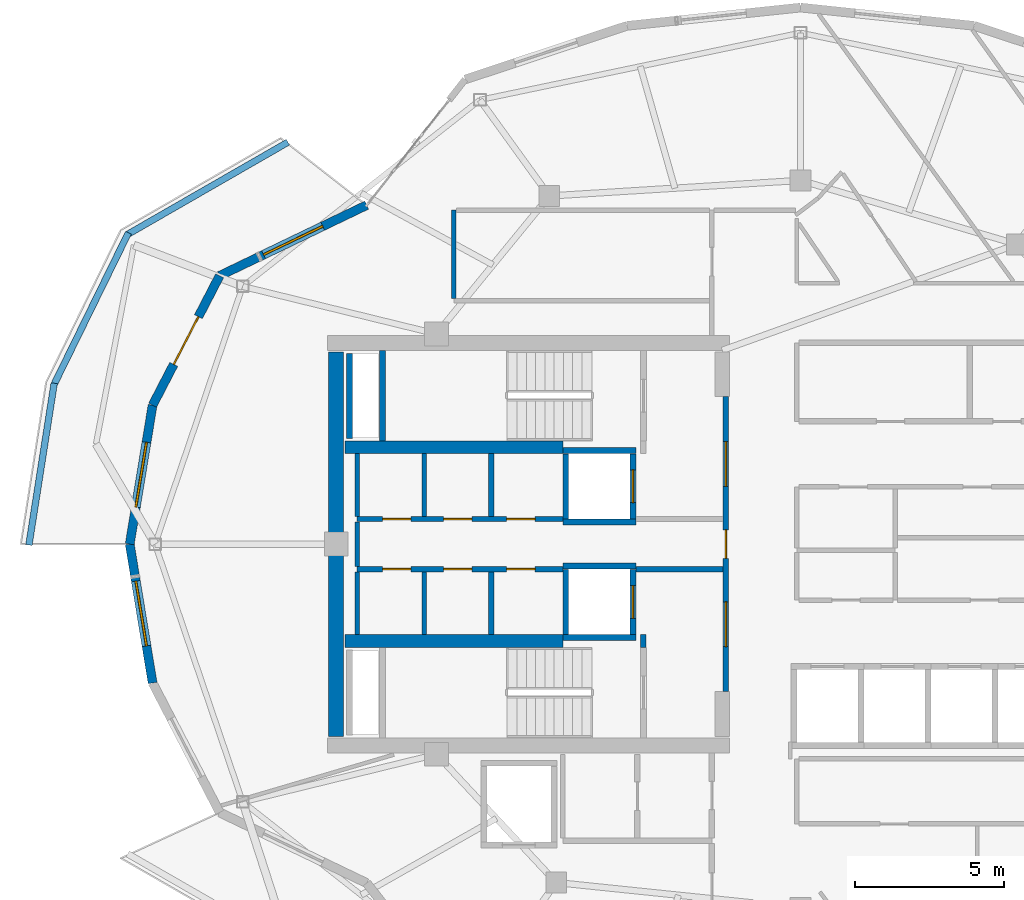
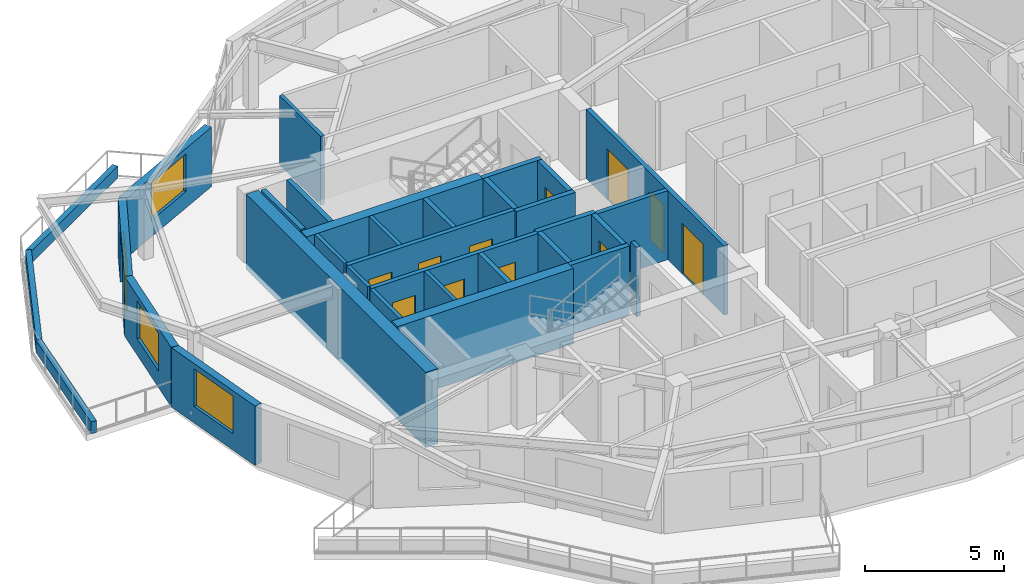
# One storey, part 8 of 14: 33 walls, 12 doors, 3 windows, 15 openings.
"""IFC4 building model written with IfcOpenShell, lengths in metres."""

from ifc_helpers import new_model, si_unit, direction, frame, frame_2d, origin, place, context, subcontext, project, spatial, rectangle, extrude, material, layer, layer_set, type_object, element, fill, save


model = new_model("IFC4")

# Units and contexts
model_context = context("Model", 3, precision=1e-05, world=origin(), true_north=direction((0.0, 1.0)))
body_context = subcontext(model_context, "Body", "Model", "MODEL_VIEW")
ifc_project = project(units=[si_unit("LENGTHUNIT", "METRE"), si_unit("AREAUNIT", "SQUARE_METRE"), si_unit("VOLUMEUNIT", "CUBIC_METRE"), si_unit("PLANEANGLEUNIT", "RADIAN"), si_unit("MASSUNIT", "GRAM", prefix="KILO")], contexts=[model_context])

# Site, building, storey
site_placement = place(None, origin())
site = spatial("IfcSite", under=ifc_project, at=site_placement, CompositionType="ELEMENT")
building_placement = place(site_placement, origin())
building = spatial("IfcBuilding", under=site, at=building_placement, Name="Kolvaren Gate Tower and Convention Centre", CompositionType="ELEMENT")
storey_placement = place(building_placement, frame((0.0, 0.0, 245.89990234375)))
storey = spatial("IfcBuildingStorey", under=building, at=storey_placement, Name="L66", CompositionType="ELEMENT", Elevation=245.89990234375)

# Wall
ifc_material_1 = material(Name="Autoclaved Aerated Masonry Blockwork Class 4 (4.0 MPa)", Category="masonry")
ifc_layer_1 = layer(ifc_material_1, 0.179931640625)
ifc_layer_set_1 = layer_set([ifc_layer_1], Name="Autoclaved Aerated Masonry Blockwork Class 4 (4.0 MPa)")
wall_type_1 = type_object("IfcWallType", Name="ARCH-WL-COMP-180", PredefinedType="SOLIDWALL", material=ifc_layer_set_1)
wall_1_placement = place(storey_placement, frame((24.85009765625, 23.5400390625, 0.0), z_axis=(0.0, 0.0, 1.0), x_axis=(0.0, 1.0, 0.0)))
element("IfcWall", 1, at=wall_1_placement, inside=storey, type_object=wall_type_1, Name="Interior Partition WL-L66-INT-001", PredefinedType="SOLIDWALL", context=body_context, shape_type="SweptSolid", body=[
    extrude(rectangle(XDim=0.419921875, YDim=0.179931640625, at=frame_2d((0.2099609375, 0.0))), origin(), (0.0, 0.0, 1.0), 3.030029296875),
])

# Wall, openings, doors
wall_2_placement = place(storey_placement, frame((27.6201171875, 22.050048828125, 0.0), z_axis=(0.0, 0.0, 1.0), x_axis=(0.0, 1.0, 0.0)))
wall_2 = element("IfcWall", 2, at=wall_2_placement, inside=storey, type_object=wall_type_1, Name="Interior Partition WL-L66-INT-003", PredefinedType="SOLIDWALL", context=body_context, shape_type="SweptSolid", body=[
    extrude(rectangle(XDim=9.89990234375, YDim=0.179931640625, at=frame_2d((4.949951171875, 0.0))), origin(), (0.0, 0.0, 1.0), 3.030029296875),
])
opening_1_placement = place(wall_2_placement, frame((4.47509765625, 0.0, 0.0)))
opening_1 = element("IfcOpeningElement", 3, at=opening_1_placement, cuts=wall_2, Name="Opening DR-01", PredefinedType="OPENING", context=body_context, shape_type="SweptSolid", body=[
    extrude(rectangle(XDim=0.949951171875, YDim=2.10009765625, at=frame_2d((0.47509765625, 1.050048828125))), frame((0.0, 0.099853515625, 0.0), z_axis=(0.0, -1.0, 0.0), x_axis=(1.0, 0.0, 0.0)), (0.0, 0.0, 1.0), 0.199951171875),
])
opening_2_placement = place(wall_2_placement, frame((6.889892578125, 0.0, 0.0)))
opening_2 = element("IfcOpeningElement", 4, at=opening_2_placement, cuts=wall_2, Name="Opening DL-01", PredefinedType="OPENING", context=body_context, shape_type="SweptSolid", body=[
    extrude(rectangle(XDim=1.5, YDim=2.199951171875, at=frame_2d((0.75, 1.10009765625))), frame((0.0, 0.099853515625, 0.0), z_axis=(0.0, -1.0, 0.0), x_axis=(1.0, 0.0, 0.0)), (0.0, 0.0, 1.0), 0.199951171875),
])
opening_3_placement = place(wall_2_placement, frame((1.510009765625, 0.0, 0.0)))
opening_3 = element("IfcOpeningElement", 5, at=opening_3_placement, cuts=wall_2, Name="Opening DL-01", PredefinedType="OPENING", context=body_context, shape_type="SweptSolid", body=[
    extrude(rectangle(XDim=1.5, YDim=2.199951171875, at=frame_2d((0.75, 1.10009765625))), frame((0.0, 0.099853515625, 0.0), z_axis=(0.0, -1.0, 0.0), x_axis=(1.0, 0.0, 0.0)), (0.0, 0.0, 1.0), 0.199951171875),
])
ifc_material_2 = material(Name="Painted Architectural Steelwork ASTM A500 Grade C 345 MPa", Category="steel")
door_type_1 = type_object("IfcDoorType", Name="ARCH-DR-LOBBY-1500", OperationType="DOUBLE_DOOR_SINGLE_SWING", PredefinedType="DOOR", material=ifc_material_2)
door_1_placement = place(opening_2_placement, origin())
door_1 = element("IfcDoor", 6, at=door_1_placement, inside=storey, type_object=door_type_1, Name="North Firefighting Stair and Lift Lobby Door", OperationType="DOUBLE_DOOR_SINGLE_SWING", OverallHeight=2.199951171875, OverallWidth=1.5, PredefinedType="DOOR", context=body_context, shape_type="SweptSolid", body=[
    extrude(rectangle(XDim=1.5, YDim=2.199951171875, at=frame_2d((0.75, 1.10009765625))), frame((0.0, 0.02490234375, 0.0), z_axis=(0.0, -1.0, 0.0), x_axis=(1.0, 0.0, 0.0)), (0.0, 0.0, 1.0), 0.050048828125),
])
fill(opening_2, door_1)
door_2_placement = place(opening_3_placement, origin())
door_2 = element("IfcDoor", 7, at=door_2_placement, inside=storey, type_object=door_type_1, Name="South Firefighting Stair and Lift Lobby Door", OperationType="DOUBLE_DOOR_SINGLE_SWING", OverallHeight=2.199951171875, OverallWidth=1.5, PredefinedType="DOOR", context=body_context, shape_type="SweptSolid", body=[
    extrude(rectangle(XDim=1.5, YDim=2.199951171875, at=frame_2d((0.75, 1.10009765625))), frame((0.0, 0.02490234375, 0.0), z_axis=(0.0, -1.0, 0.0), x_axis=(1.0, 0.0, 0.0)), (0.0, 0.0, 1.0), 0.050048828125),
])
fill(opening_3, door_2)
door_type_2 = type_object("IfcDoorType", Name="ARCH-DR-RISER-950", OperationType="SINGLE_SWING_RIGHT", PredefinedType="DOOR", material=ifc_material_2)
door_3_placement = place(opening_1_placement, origin())
door_3 = element("IfcDoor", 8, at=door_3_placement, inside=storey, type_object=door_type_2, Name="Central MEP Service Corridor Door", OperationType="SINGLE_SWING_LEFT", OverallHeight=2.10009765625, OverallWidth=0.949951171875, PredefinedType="DOOR", context=body_context, shape_type="SweptSolid", body=[
    extrude(rectangle(XDim=0.949951171875, YDim=2.10009765625, at=frame_2d((0.47509765625, 1.050048828125))), frame((0.0, 0.02490234375, 0.0), z_axis=(0.0, -1.0, 0.0), x_axis=(1.0, 0.0, 0.0)), (0.0, 0.0, 1.0), 0.050048828125),
])
fill(opening_1, door_3)

wall_3_placement = place(storey_placement, frame((15.25, 27.840087890625, 0.0), z_axis=(0.0, 0.0, 1.0), x_axis=(1.0, 0.0, 0.0)))
wall_3 = element("IfcWall", 9, at=wall_3_placement, inside=storey, type_object=wall_type_1, Name="Interior Partition WL-L66-INT-004", PredefinedType="SOLIDWALL", context=body_context, shape_type="SweptSolid", body=[
    extrude(rectangle(XDim=6.89990234375, YDim=0.179931640625, at=frame_2d((3.449951171875, 0.0))), origin(), (0.0, 0.0, 1.0), 3.030029296875),
])
opening_4_placement = place(wall_3_placement, frame((5.02001953125, 0.0, 0.0)))
opening_4 = element("IfcOpeningElement", 10, at=opening_4_placement, cuts=wall_3, Name="Opening DR-01", PredefinedType="OPENING", context=body_context, shape_type="SweptSolid", body=[
    extrude(rectangle(XDim=0.949951171875, YDim=2.10009765625, at=frame_2d((0.47509765625, 1.050048828125))), frame((0.0, 0.099853515625, 0.0), z_axis=(0.0, -1.0, 0.0), x_axis=(1.0, 0.0, 0.0)), (0.0, 0.0, 1.0), 0.199951171875),
])
opening_5_placement = place(wall_3_placement, frame((0.85498046875, 0.0, 0.0)))
opening_5 = element("IfcOpeningElement", 11, at=opening_5_placement, cuts=wall_3, Name="Opening DR-01", PredefinedType="OPENING", context=body_context, shape_type="SweptSolid", body=[
    extrude(rectangle(XDim=0.949951171875, YDim=2.10009765625, at=frame_2d((0.47509765625, 1.050048828125))), frame((0.0, 0.099853515625, 0.0), z_axis=(0.0, -1.0, 0.0), x_axis=(1.0, 0.0, 0.0)), (0.0, 0.0, 1.0), 0.199951171875),
])
opening_6_placement = place(wall_3_placement, frame((2.89990234375, 0.0, 0.0)))
opening_6 = element("IfcOpeningElement", 12, at=opening_6_placement, cuts=wall_3, Name="Opening DR-01", PredefinedType="OPENING", context=body_context, shape_type="SweptSolid", body=[
    extrude(rectangle(XDim=0.949951171875, YDim=2.10009765625, at=frame_2d((0.47509765625, 1.050048828125))), frame((0.0, 0.099853515625, 0.0), z_axis=(0.0, -1.0, 0.0), x_axis=(1.0, 0.0, 0.0)), (0.0, 0.0, 1.0), 0.199951171875),
])
door_4_placement = place(opening_4_placement, origin())
door_4 = element("IfcDoor", 13, at=door_4_placement, inside=storey, type_object=door_type_2, Name="Electrical Switchgear Closet Door", OperationType="SINGLE_SWING_RIGHT", OverallHeight=2.10009765625, OverallWidth=0.949951171875, PredefinedType="DOOR", context=body_context, shape_type="SweptSolid", body=[
    extrude(rectangle(XDim=0.949951171875, YDim=2.10009765625, at=frame_2d((0.47509765625, 1.050048828125))), frame((0.0, 0.02490234375, 0.0), z_axis=(0.0, -1.0, 0.0), x_axis=(1.0, 0.0, 0.0)), (0.0, 0.0, 1.0), 0.050048828125),
])
fill(opening_4, door_4)
door_5_placement = place(opening_5_placement, origin())
door_5 = element("IfcDoor", 14, at=door_5_placement, inside=storey, type_object=door_type_2, Name="Staff Accessible WC Door", OperationType="SINGLE_SWING_RIGHT", OverallHeight=2.10009765625, OverallWidth=0.949951171875, PredefinedType="DOOR", context=body_context, shape_type="SweptSolid", body=[
    extrude(rectangle(XDim=0.949951171875, YDim=2.10009765625, at=frame_2d((0.47509765625, 1.050048828125))), frame((0.0, 0.02490234375, 0.0), z_axis=(0.0, -1.0, 0.0), x_axis=(1.0, 0.0, 0.0)), (0.0, 0.0, 1.0), 0.050048828125),
])
fill(opening_5, door_5)
door_6_placement = place(opening_6_placement, origin())
door_6 = element("IfcDoor", 15, at=door_6_placement, inside=storey, type_object=door_type_2, Name="Housekeeping Sink Closet Door", OperationType="SINGLE_SWING_LEFT", OverallHeight=2.10009765625, OverallWidth=0.949951171875, PredefinedType="DOOR", context=body_context, shape_type="SweptSolid", body=[
    extrude(rectangle(XDim=0.949951171875, YDim=2.10009765625, at=frame_2d((0.47509765625, 1.050048828125))), frame((0.0, 0.02490234375, 0.0), z_axis=(0.0, -1.0, 0.0), x_axis=(1.0, 0.0, 0.0)), (0.0, 0.0, 1.0), 0.050048828125),
])
fill(opening_6, door_6)

wall_4_placement = place(storey_placement, frame((15.25, 26.159912109375, 0.0), z_axis=(0.0, 0.0, 1.0), x_axis=(1.0, 0.0, 0.0)))
wall_4 = element("IfcWall", 16, at=wall_4_placement, inside=storey, type_object=wall_type_1, Name="Interior Partition WL-L66-INT-005", PredefinedType="SOLIDWALL", context=body_context, shape_type="SweptSolid", body=[
    extrude(rectangle(XDim=6.89990234375, YDim=0.179931640625, at=frame_2d((3.449951171875, 0.0))), origin(), (0.0, 0.0, 1.0), 3.030029296875),
])
opening_7_placement = place(wall_4_placement, frame((5.02001953125, 0.0, 0.0)))
opening_7 = element("IfcOpeningElement", 17, at=opening_7_placement, cuts=wall_4, Name="Opening DR-01", PredefinedType="OPENING", context=body_context, shape_type="SweptSolid", body=[
    extrude(rectangle(XDim=0.949951171875, YDim=2.10009765625, at=frame_2d((0.47509765625, 1.050048828125))), frame((0.0, 0.099853515625, 0.0), z_axis=(0.0, -1.0, 0.0), x_axis=(1.0, 0.0, 0.0)), (0.0, 0.0, 1.0), 0.199951171875),
])
opening_8_placement = place(wall_4_placement, frame((0.85498046875, 0.0, 0.0)))
opening_8 = element("IfcOpeningElement", 18, at=opening_8_placement, cuts=wall_4, Name="Opening DR-01", PredefinedType="OPENING", context=body_context, shape_type="SweptSolid", body=[
    extrude(rectangle(XDim=0.949951171875, YDim=2.10009765625, at=frame_2d((0.47509765625, 1.050048828125))), frame((0.0, 0.099853515625, 0.0), z_axis=(0.0, -1.0, 0.0), x_axis=(1.0, 0.0, 0.0)), (0.0, 0.0, 1.0), 0.199951171875),
])
opening_9_placement = place(wall_4_placement, frame((2.89990234375, 0.0, 0.0)))
opening_9 = element("IfcOpeningElement", 19, at=opening_9_placement, cuts=wall_4, Name="Opening DR-01", PredefinedType="OPENING", context=body_context, shape_type="SweptSolid", body=[
    extrude(rectangle(XDim=0.949951171875, YDim=2.10009765625, at=frame_2d((0.47509765625, 1.050048828125))), frame((0.0, 0.099853515625, 0.0), z_axis=(0.0, -1.0, 0.0), x_axis=(1.0, 0.0, 0.0)), (0.0, 0.0, 1.0), 0.199951171875),
])
door_7_placement = place(opening_7_placement, origin())
door_7 = element("IfcDoor", 20, at=door_7_placement, inside=storey, type_object=door_type_2, Name="Domestic Water Meter Closet Door", OperationType="SINGLE_SWING_LEFT", OverallHeight=2.10009765625, OverallWidth=0.949951171875, PredefinedType="DOOR", context=body_context, shape_type="SweptSolid", body=[
    extrude(rectangle(XDim=0.949951171875, YDim=2.10009765625, at=frame_2d((0.47509765625, 1.050048828125))), frame((0.0, 0.02490234375, 0.0), z_axis=(0.0, -1.0, 0.0), x_axis=(1.0, 0.0, 0.0)), (0.0, 0.0, 1.0), 0.050048828125),
])
fill(opening_7, door_7)
door_8_placement = place(opening_8_placement, origin())
door_8 = element("IfcDoor", 21, at=door_8_placement, inside=storey, type_object=door_type_2, Name="Beverage Service Pantry Door", OperationType="SINGLE_SWING_RIGHT", OverallHeight=2.10009765625, OverallWidth=0.949951171875, PredefinedType="DOOR", context=body_context, shape_type="SweptSolid", body=[
    extrude(rectangle(XDim=0.949951171875, YDim=2.10009765625, at=frame_2d((0.47509765625, 1.050048828125))), frame((0.0, 0.02490234375, 0.0), z_axis=(0.0, -1.0, 0.0), x_axis=(1.0, 0.0, 0.0)), (0.0, 0.0, 1.0), 0.050048828125),
])
fill(opening_8, door_8)
door_9_placement = place(opening_9_placement, origin())
door_9 = element("IfcDoor", 22, at=door_9_placement, inside=storey, type_object=door_type_2, Name="Archive Supply Closet Door", OperationType="SINGLE_SWING_LEFT", OverallHeight=2.10009765625, OverallWidth=0.949951171875, PredefinedType="DOOR", context=body_context, shape_type="SweptSolid", body=[
    extrude(rectangle(XDim=0.949951171875, YDim=2.10009765625, at=frame_2d((0.47509765625, 1.050048828125))), frame((0.0, 0.02490234375, 0.0), z_axis=(0.0, -1.0, 0.0), x_axis=(1.0, 0.0, 0.0)), (0.0, 0.0, 1.0), 0.050048828125),
])
fill(opening_9, door_9)

# Walls
wall_5_placement = place(storey_placement, frame((24.60009765625, 26.159912109375, 0.0), z_axis=(0.0, 0.0, 1.0), x_axis=(1.0, 0.0, 0.0)))
element("IfcWall", 23, at=wall_5_placement, inside=storey, type_object=wall_type_1, Name="Interior Partition WL-L66-INT-005 (2)", PredefinedType="SOLIDWALL", context=body_context, shape_type="SweptSolid", body=[
    extrude(rectangle(XDim=2.927978515625, YDim=0.179931640625, at=frame_2d((1.4638671875, 0.0))), origin(), (0.0, 0.0, 1.0), 3.030029296875),
])
for number, where, z_axis, x_axis, name in (
    (24, (19.75, 23.9619140625, 0.0), (0.0, 0.0, 1.0), (0.0, 1.0, 0.0), "Interior Partition WL-L66-INT-007"),
    (25, (19.75, 27.931884765625, 0.0), (0.0, 0.0, 1.0), (0.0, 1.0, 0.0), "Interior Partition WL-L66-INT-008"),
):
    element("IfcWall", number, at=place(storey_placement, frame(where, z_axis=z_axis, x_axis=x_axis)), inside=storey, type_object=wall_type_1, Name=name, PredefinedType="SOLIDWALL", context=body_context, shape_type="SweptSolid", body=[
        extrude(rectangle(XDim=2.106201171875, YDim=0.179931640625, at=frame_2d((1.05322265625, 0.0))), origin(), (0.0, 0.0, 1.0), 3.030029296875),
    ])
ifc_material_3 = material(Name="Piedmont Cream Honed Limestone Cladding", Category="masonry")
ifc_layer_2 = layer(ifc_material_3, 0.219970703125)
ifc_layer_set_2 = layer_set([ifc_layer_2], Name="Piedmont Cream Honed Limestone Cladding")
wall_type_2 = type_object("IfcWallType", Name="ARCH-WL-PLANTER-220", PredefinedType="PARAPET", material=ifc_layer_set_2)
wall_6_placement = place(storey_placement, frame((7.556884765625, 37.390625, 0.0), z_axis=(0.0, 0.0, 1.0), x_axis=(0.866901621005, 0.49847926687, 0.0)))
element("IfcWall", 26, at=wall_6_placement, inside=storey, type_object=wall_type_2, Name="Vertical-Forest Balcony Stone Planter Kerb PK-L66-2.1", PredefinedType="PARAPET", context=body_context, shape_type="SweptSolid", body=[
    extrude(rectangle(XDim=6.196533203125, YDim=0.219970703125, at=frame_2d((3.09814453125, 0.0))), origin(), (0.0, 0.0, 1.0), 0.52001953125),
])
wall_7_placement = place(storey_placement, frame((5.078857421875, 32.337646484375, 0.0), z_axis=(0.0, 0.0, 1.0), x_axis=(0.440058847499, 0.897968936399, 0.0)))
element("IfcWall", 27, at=wall_7_placement, inside=storey, type_object=wall_type_2, Name="Vertical-Forest Balcony Stone Planter Kerb PK-L66-2.2", PredefinedType="PARAPET", context=body_context, shape_type="SweptSolid", body=[
    extrude(rectangle(XDim=5.689453125, YDim=0.219970703125, at=frame_2d((2.8447265625, 0.0))), origin(), (0.0, 0.0, 1.0), 0.52001953125),
])
wall_8_placement = place(storey_placement, frame((4.243408203125, 26.970703125, 0.0), z_axis=(0.0, 0.0, 1.0), x_axis=(0.154441975483, 0.988001860428, 0.0)))
element("IfcWall", 28, at=wall_8_placement, inside=storey, type_object=wall_type_2, Name="Vertical-Forest Balcony Stone Planter Kerb PK-L66-2.3", PredefinedType="PARAPET", context=body_context, shape_type="SweptSolid", body=[
    extrude(rectangle(XDim=5.49169921875, YDim=0.219970703125, at=frame_2d((2.745849609375, 0.0))), origin(), (0.0, 0.0, 1.0), 0.52001953125),
])
ifc_layer_3 = layer(ifc_material_1, 0.199951171875)
ifc_layer_set_3 = layer_set([ifc_layer_3], Name="Autoclaved Aerated Masonry Blockwork Class 4 (4.0 MPa)")
wall_type_3 = type_object("IfcWallType", Name="ARCH-WL-SHAFT-200", PredefinedType="SOLIDWALL", material=ifc_layer_set_3)
for number, where, z_axis, x_axis, name in (
    (29, (22.14990234375, 30.139892578125, 0.0), (0.0, 0.0, 1.0), (1.0, 0.0, 0.0), "Elevator FF-01 L66 Fire Shaft Wall N"),
    (30, (22.14990234375, 27.739990234375, 0.0), (0.0, 0.0, 1.0), (1.0, 0.0, 0.0), "Elevator FF-01 L66 Fire Shaft Wall S"),
):
    element("IfcWall", number, at=place(storey_placement, frame(where, z_axis=z_axis, x_axis=x_axis)), inside=storey, type_object=wall_type_3, Name=name, PredefinedType="SOLIDWALL", context=body_context, shape_type="SweptSolid", body=[
        extrude(rectangle(XDim=2.4501953125, YDim=0.199951171875, at=frame_2d((1.22509765625, 0.0))), origin(), (0.0, 0.0, 1.0), 3.030029296875),
    ])
wall_9_placement = place(storey_placement, frame((22.25, 27.85009765625, 0.0), z_axis=(0.0, 0.0, 1.0), x_axis=(0.0, 1.0, 0.0)))
element("IfcWall", 31, at=wall_9_placement, inside=storey, type_object=wall_type_3, Name="Elevator FF-01 L66 Fire Shaft Wall W", PredefinedType="SOLIDWALL", context=body_context, shape_type="SweptSolid", body=[
    extrude(rectangle(XDim=2.179931640625, YDim=0.199951171875, at=frame_2d((1.08984375, 0.0))), origin(), (0.0, 0.0, 1.0), 3.030029296875),
])

# Wall, opening, door
wall_10_placement = place(storey_placement, frame((24.5, 27.85009765625, 0.0), z_axis=(0.0, 0.0, 1.0), x_axis=(0.0, 1.0, 0.0)))
wall_10 = element("IfcWall", 32, at=wall_10_placement, inside=storey, type_object=wall_type_3, Name="Elevator FF-01 L66 Fire Shaft Wall E", PredefinedType="SOLIDWALL", context=body_context, shape_type="SweptSolid", body=[
    extrude(rectangle(XDim=2.179931640625, YDim=0.199951171875, at=frame_2d((1.08984375, 0.0))), origin(), (0.0, 0.0, 1.0), 3.030029296875),
])
opening_10_placement = place(wall_10_placement, frame((0.5400390625, 0.0, 0.0)))
opening_10 = element("IfcOpeningElement", 33, at=opening_10_placement, cuts=wall_10, Name="Opening LD", PredefinedType="OPENING", context=body_context, shape_type="SweptSolid", body=[
    extrude(rectangle(XDim=1.10009765625, YDim=2.199951171875, at=frame_2d((0.550048828125, 1.10009765625))), frame((0.0, 0.10986328125, 0.0), z_axis=(0.0, -1.0, 0.0), x_axis=(1.0, 0.0, 0.0)), (0.0, 0.0, 1.0), 0.219970703125),
])
ifc_material_4 = material(Name="Brushed Stainless Steel Grade 316L", Category="steel")
door_type_3 = type_object("IfcDoorType", Name="ARCH-DR-LIFT-1100", OperationType="SLIDING_TO_LEFT", PredefinedType="DOOR", material=ifc_material_4)
door_10_placement = place(opening_10_placement, origin())
door_10 = element("IfcDoor", 34, at=door_10_placement, inside=storey, type_object=door_type_3, Name="Elevator FF-01 L66 Sliding Landing Door", OperationType="SLIDING_TO_LEFT", OverallHeight=2.199951171875, OverallWidth=1.10009765625, PredefinedType="DOOR", context=body_context, shape_type="SweptSolid", body=[
    extrude(rectangle(XDim=1.10009765625, YDim=2.199951171875, at=frame_2d((0.550048828125, 1.10009765625))), frame((0.0, 0.02490234375, 0.0), z_axis=(0.0, -1.0, 0.0), x_axis=(1.0, 0.0, 0.0)), (0.0, 0.0, 1.0), 0.050048828125),
])
fill(opening_10, door_10)

# Walls
for number, where, z_axis, x_axis, name in (
    (35, (22.14990234375, 26.260009765625, 0.0), (0.0, 0.0, 1.0), (1.0, 0.0, 0.0), "Elevator FF-02 L66 Fire Shaft Wall N"),
    (36, (22.14990234375, 23.860107421875, 0.0), (0.0, 0.0, 1.0), (1.0, 0.0, 0.0), "Elevator FF-02 L66 Fire Shaft Wall S"),
):
    element("IfcWall", number, at=place(storey_placement, frame(where, z_axis=z_axis, x_axis=x_axis)), inside=storey, type_object=wall_type_3, Name=name, PredefinedType="SOLIDWALL", context=body_context, shape_type="SweptSolid", body=[
        extrude(rectangle(XDim=2.4501953125, YDim=0.199951171875, at=frame_2d((1.22509765625, 0.0))), origin(), (0.0, 0.0, 1.0), 3.030029296875),
    ])
wall_11_placement = place(storey_placement, frame((22.25, 23.969970703125, 0.0), z_axis=(0.0, 0.0, 1.0), x_axis=(0.0, 1.0, 0.0)))
element("IfcWall", 37, at=wall_11_placement, inside=storey, type_object=wall_type_3, Name="Elevator FF-02 L66 Fire Shaft Wall W", PredefinedType="SOLIDWALL", context=body_context, shape_type="SweptSolid", body=[
    extrude(rectangle(XDim=2.179931640625, YDim=0.199951171875, at=frame_2d((1.08984375, 0.0))), origin(), (0.0, 0.0, 1.0), 3.030029296875),
])

# Wall, opening, door
wall_12_placement = place(storey_placement, frame((24.5, 23.969970703125, 0.0), z_axis=(0.0, 0.0, 1.0), x_axis=(0.0, 1.0, 0.0)))
wall_12 = element("IfcWall", 38, at=wall_12_placement, inside=storey, type_object=wall_type_3, Name="Elevator FF-02 L66 Fire Shaft Wall E", PredefinedType="SOLIDWALL", context=body_context, shape_type="SweptSolid", body=[
    extrude(rectangle(XDim=2.179931640625, YDim=0.199951171875, at=frame_2d((1.08984375, 0.0))), origin(), (0.0, 0.0, 1.0), 3.030029296875),
])
opening_11_placement = place(wall_12_placement, frame((0.5400390625, 0.0, 0.0)))
opening_11 = element("IfcOpeningElement", 39, at=opening_11_placement, cuts=wall_12, Name="Opening LD", PredefinedType="OPENING", context=body_context, shape_type="SweptSolid", body=[
    extrude(rectangle(XDim=1.10009765625, YDim=2.199951171875, at=frame_2d((0.550048828125, 1.10009765625))), frame((0.0, 0.10986328125, 0.0), z_axis=(0.0, -1.0, 0.0), x_axis=(1.0, 0.0, 0.0)), (0.0, 0.0, 1.0), 0.219970703125),
])
door_11_placement = place(opening_11_placement, origin())
door_11 = element("IfcDoor", 40, at=door_11_placement, inside=storey, type_object=door_type_3, Name="Elevator FF-02 L66 Sliding Landing Door", OperationType="SLIDING_TO_LEFT", OverallHeight=2.199951171875, OverallWidth=1.10009765625, PredefinedType="DOOR", context=body_context, shape_type="SweptSolid", body=[
    extrude(rectangle(XDim=1.10009765625, YDim=2.199951171875, at=frame_2d((0.550048828125, 1.10009765625))), frame((0.0, 0.02490234375, 0.0), z_axis=(0.0, -1.0, 0.0), x_axis=(1.0, 0.0, 0.0)), (0.0, 0.0, 1.0), 0.050048828125),
])
fill(opening_11, door_11)

# Wall
wall_13_placement = place(storey_placement, frame((14.989990234375, 30.550048828125, 0.0), z_axis=(0.0, 0.0, 1.0), x_axis=(0.0, 1.0, 0.0)))
element("IfcWall", 41, at=wall_13_placement, inside=storey, type_object=wall_type_3, Name="Vertical Shaft HVR L66 EI-120 Enclosure Wall W", PredefinedType="SOLIDWALL", context=body_context, shape_type="SweptSolid", body=[
    extrude(rectangle(XDim=2.849853515625, YDim=0.199951171875, at=frame_2d((1.4248046875, 0.0))), origin(), (0.0, 0.0, 1.0), 3.030029296875),
])

# Wall, opening, window
ifc_layer_4 = layer(ifc_material_3, 0.300048828125)
ifc_layer_set_4 = layer_set([ifc_layer_4], Name="Piedmont Cream Honed Limestone Cladding")
wall_type_4 = type_object("IfcWallType", Name="ARCH-WL-STONE-300", PredefinedType="SOLIDWALL", material=ifc_layer_set_4)
wall_14_placement = place(storey_placement, frame((10.639404296875, 36.0, 0.0), z_axis=(0.0, 0.0, 1.0), x_axis=(0.901355238351, 0.433080517106, 0.0)))
wall_14 = element("IfcWall", 42, at=wall_14_placement, inside=storey, type_object=wall_type_4, Name="Tower L66 Honed Stone Spandrel Wall EW-09", PredefinedType="SOLIDWALL", context=body_context, shape_type="SweptSolid", body=[
    extrude(rectangle(XDim=5.47314453125, YDim=0.300048828125, at=frame_2d((2.736572265625, 0.0))), origin(), (0.0, 0.0, 1.0), 2.60498046875),
])
opening_12_placement = place(wall_14_placement, frame((1.636962890625, 0.0, 0.719970703125)))
opening_12 = element("IfcOpeningElement", 43, at=opening_12_placement, cuts=wall_14, Name="Opening W-03", PredefinedType="OPENING", context=body_context, shape_type="SweptSolid", body=[
    extrude(rectangle(XDim=2.199951171875, YDim=1.64990234375, at=frame_2d((1.10009765625, 0.824951171875))), frame((0.0, 0.159912109375, 0.0), z_axis=(0.0, -1.0, 0.0), x_axis=(1.0, 0.0, 0.0)), (0.0, 0.0, 1.0), 0.320068359375),
])
ifc_material_5 = material(Name="Low-E Triple Insulated Glazing Unit 44 mm", Category="glass")
window_type = type_object("IfcWindowType", Name="ARCH-WN-RES-2200", PartitioningType="SINGLE_PANEL", PredefinedType="WINDOW", material=ifc_material_5)
window_1_placement = place(opening_12_placement, origin())
window_1 = element("IfcWindow", 44, at=window_1_placement, inside=storey, type_object=window_type, Name="Tower L66 Punched Stone Facade Window W-09", OverallHeight=1.64990234375, OverallWidth=2.199951171875, PartitioningType="SINGLE_PANEL", PredefinedType="WINDOW", context=body_context, shape_type="SweptSolid", body=[
    extrude(rectangle(XDim=2.199951171875, YDim=1.64990234375, at=frame_2d((1.10009765625, 0.824951171875))), frame((0.0, 0.030029296875, 0.0), z_axis=(0.0, -1.0, 0.0), x_axis=(1.0, 0.0, 0.0)), (0.0, 0.0, 1.0), 0.06005859375),
])
fill(opening_12, window_1)

# Wall, opening, door
wall_15_placement = place(storey_placement, frame((8.3916015625, 31.65869140625, 0.0), z_axis=(0.0, 0.0, 1.0), x_axis=(0.459793771602, 0.888025724625, 0.0)))
wall_15 = element("IfcWall", 45, at=wall_15_placement, inside=storey, type_object=wall_type_4, Name="Tower L66 Honed Stone Spandrel Wall EW-10", PredefinedType="SOLIDWALL", context=body_context, shape_type="SweptSolid", body=[
    extrude(rectangle(XDim=4.888671875, YDim=0.300048828125, at=frame_2d((2.4443359375, 0.0))), origin(), (0.0, 0.0, 1.0), 2.60498046875),
])
opening_13_placement = place(wall_15_placement, frame((1.5439453125, 0.0, 0.0)))
opening_13 = element("IfcOpeningElement", 46, at=opening_13_placement, cuts=wall_15, Name="Opening DB-01", PredefinedType="OPENING", context=body_context, shape_type="SweptSolid", body=[
    extrude(rectangle(XDim=1.800048828125, YDim=2.25, at=frame_2d((0.89990234375, 1.125))), frame((0.0, 0.159912109375, 0.0), z_axis=(0.0, -1.0, 0.0), x_axis=(1.0, 0.0, 0.0)), (0.0, 0.0, 1.0), 0.320068359375),
])
ifc_material_6 = material(Name="Anodized Architectural Aluminium Alloy 6063-T6", Category="aluminium")
door_type_4 = type_object("IfcDoorType", Name="ARCH-DR-BALC-1800", OperationType="SLIDING_TO_LEFT", PredefinedType="DOOR", material=ifc_material_6)
door_12_placement = place(opening_13_placement, origin())
door_12 = element("IfcDoor", 47, at=door_12_placement, inside=storey, type_object=door_type_4, Name="Planted Sky Terrace Access Door DB-L66-10", OperationType="SLIDING_TO_LEFT", OverallHeight=2.25, OverallWidth=1.800048828125, PredefinedType="DOOR", context=body_context, shape_type="SweptSolid", body=[
    extrude(rectangle(XDim=1.800048828125, YDim=2.25, at=frame_2d((0.89990234375, 1.125))), frame((0.0, 0.02490234375, 0.0), z_axis=(0.0, -1.0, 0.0), x_axis=(1.0, 0.0, 0.0)), (0.0, 0.0, 1.0), 0.050048828125),
])
fill(opening_13, door_12)

# Wall, opening, window
wall_16_placement = place(storey_placement, frame((7.625, 27.0, 0.0), z_axis=(0.0, 0.0, 1.0), x_axis=(0.162369371657, 0.986730047758, 0.0)))
wall_16 = element("IfcWall", 48, at=wall_16_placement, inside=storey, type_object=wall_type_4, Name="Tower L66 Honed Stone Spandrel Wall EW-11", PredefinedType="SOLIDWALL", context=body_context, shape_type="SweptSolid", body=[
    extrude(rectangle(XDim=4.721435546875, YDim=0.300048828125, at=frame_2d((2.36083984375, 0.0))), origin(), (0.0, 0.0, 1.0), 2.60498046875),
])
opening_14_placement = place(wall_16_placement, frame((1.260986328125, 0.0, 0.719970703125)))
opening_14 = element("IfcOpeningElement", 49, at=opening_14_placement, cuts=wall_16, Name="Opening W-03", PredefinedType="OPENING", context=body_context, shape_type="SweptSolid", body=[
    extrude(rectangle(XDim=2.199951171875, YDim=1.64990234375, at=frame_2d((1.10009765625, 0.824951171875))), frame((0.0, 0.159912109375, 0.0), z_axis=(0.0, -1.0, 0.0), x_axis=(1.0, 0.0, 0.0)), (0.0, 0.0, 1.0), 0.320068359375),
])
window_2_placement = place(opening_14_placement, origin())
window_2 = element("IfcWindow", 50, at=window_2_placement, inside=storey, type_object=window_type, Name="Tower L66 Punched Stone Facade Window W-11", OverallHeight=1.64990234375, OverallWidth=2.199951171875, PartitioningType="SINGLE_PANEL", PredefinedType="WINDOW", context=body_context, shape_type="SweptSolid", body=[
    extrude(rectangle(XDim=2.199951171875, YDim=1.64990234375, at=frame_2d((1.10009765625, 0.824951171875))), frame((0.0, 0.030029296875, 0.0), z_axis=(0.0, -1.0, 0.0), x_axis=(1.0, 0.0, 0.0)), (0.0, 0.0, 1.0), 0.06005859375),
])
fill(opening_14, window_2)

wall_17_placement = place(storey_placement, frame((7.625, 27.0, 0.0), z_axis=(0.0, 0.0, 1.0), x_axis=(0.162369371657, -0.986730047758, 0.0)))
wall_17 = element("IfcWall", 51, at=wall_17_placement, inside=storey, type_object=wall_type_4, Name="Tower L66 Honed Stone Spandrel Wall EW-12", PredefinedType="SOLIDWALL", context=body_context, shape_type="SweptSolid", body=[
    extrude(rectangle(XDim=4.721435546875, YDim=0.300048828125, at=frame_2d((2.36083984375, 0.0))), origin(), (0.0, 0.0, 1.0), 2.60498046875),
])
opening_15_placement = place(wall_17_placement, frame((1.260986328125, 0.0, 0.719970703125)))
opening_15 = element("IfcOpeningElement", 52, at=opening_15_placement, cuts=wall_17, Name="Opening W-03", PredefinedType="OPENING", context=body_context, shape_type="SweptSolid", body=[
    extrude(rectangle(XDim=2.199951171875, YDim=1.64990234375, at=frame_2d((1.10009765625, 0.824951171875))), frame((0.0, 0.159912109375, 0.0), z_axis=(0.0, -1.0, 0.0), x_axis=(1.0, 0.0, 0.0)), (0.0, 0.0, 1.0), 0.320068359375),
])
window_3_placement = place(opening_15_placement, origin())
window_3 = element("IfcWindow", 53, at=window_3_placement, inside=storey, type_object=window_type, Name="Tower L66 Punched Stone Facade Window W-12", OverallHeight=1.64990234375, OverallWidth=2.199951171875, PartitioningType="SINGLE_PANEL", PredefinedType="WINDOW", context=body_context, shape_type="SweptSolid", body=[
    extrude(rectangle(XDim=2.199951171875, YDim=1.64990234375, at=frame_2d((1.10009765625, 0.824951171875))), frame((0.0, 0.030029296875, 0.0), z_axis=(0.0, -1.0, 0.0), x_axis=(1.0, 0.0, 0.0)), (0.0, 0.0, 1.0), 0.06005859375),
])
fill(opening_15, window_3)

# Walls
ifc_material_7 = material(Name="Moisture-Resistant Cement-Board Acoustic Partition", Category="gypsum")
ifc_layer_5 = layer(ifc_material_7, 0.14990234375)
ifc_layer_set_5 = layer_set([ifc_layer_5], Name="Moisture-Resistant Cement-Board Acoustic Partition")
wall_type_5 = type_object("IfcWallType", Name="ARCH-WL-WET-150", PredefinedType="PARTITIONING", material=ifc_layer_set_5)
wall_18_placement = place(storey_placement, frame((15.25, 23.9619140625, 0.0), z_axis=(0.0, 0.0, 1.0), x_axis=(0.0, 1.0, 0.0)))
element("IfcWall", 54, at=wall_18_placement, inside=storey, type_object=wall_type_5, Name="Interior Partition WL-L66-INT-006", PredefinedType="PARTITIONING", context=body_context, shape_type="SweptSolid", body=[
    extrude(rectangle(XDim=2.106201171875, YDim=0.14990234375, at=frame_2d((1.05322265625, 0.0))), origin(), (0.0, 0.0, 1.0), 3.030029296875),
])
wall_19_placement = place(storey_placement, frame((15.25, 26.251953125, 0.0), z_axis=(0.0, 0.0, 1.0), x_axis=(0.0, 1.0, 0.0)))
element("IfcWall", 55, at=wall_19_placement, inside=storey, type_object=wall_type_5, Name="Interior Partition WL-L66-INT-006 (2)", PredefinedType="PARTITIONING", context=body_context, shape_type="SweptSolid", body=[
    extrude(rectangle(XDim=1.49609375, YDim=0.14990234375, at=frame_2d((0.748046875, 0.0))), origin(), (0.0, 0.0, 1.0), 3.030029296875),
])
for number, where, z_axis, x_axis, name in (
    (56, (15.25, 27.931884765625, 0.0), (0.0, 0.0, 1.0), (0.0, 1.0, 0.0), "Interior Partition WL-L66-INT-006 (3)"),
    (57, (17.5, 23.9619140625, 0.0), (0.0, 0.0, 1.0), (0.0, 1.0, 0.0), "Interior Partition WL-L66-INT-009"),
    (58, (17.5, 27.931884765625, 0.0), (0.0, 0.0, 1.0), (0.0, 1.0, 0.0), "Interior Partition WL-L66-INT-010"),
):
    element("IfcWall", number, at=place(storey_placement, frame(where, z_axis=z_axis, x_axis=x_axis)), inside=storey, type_object=wall_type_5, Name=name, PredefinedType="PARTITIONING", context=body_context, shape_type="SweptSolid", body=[
        extrude(rectangle(XDim=2.106201171875, YDim=0.14990234375, at=frame_2d((1.05322265625, 0.0))), origin(), (0.0, 0.0, 1.0), 3.030029296875),
    ])
wall_20_placement = place(storey_placement, frame((18.5, 35.237060546875, 0.0), z_axis=(0.0, 0.0, 1.0), x_axis=(0.0, 1.0, 0.0)))
element("IfcWall", 59, at=wall_20_placement, inside=storey, type_object=wall_type_5, Name="Interior Partition WL-L66-INT-034", PredefinedType="PARTITIONING", context=body_context, shape_type="SweptSolid", body=[
    extrude(rectangle(XDim=2.962890625, YDim=0.14990234375, at=frame_2d((1.4814453125, 0.0))), origin(), (0.0, 0.0, 1.0), 3.030029296875),
])
ifc_material_8 = material(Name="Concrete C50/60", Category="concrete")
ifc_layer_6 = layer(ifc_material_8, 0.419921875)
ifc_layer_set_6 = layer_set([ifc_layer_6], Name="Concrete C50/60")
wall_type_6 = type_object("IfcWallType", Name="STR-WL-CONV-420", PredefinedType="SHEAR", material=ifc_layer_set_6)
for number, where, z_axis, x_axis, name in (
    (60, (14.85009765625, 30.25, -0.27001953125), (0.0, 0.0, 1.0), (1.0, 0.0, 0.0), "Tower L66 Offset Core Shear Wall WN"),
    (61, (14.85009765625, 23.75, -0.27001953125), (0.0, 0.0, 1.0), (1.0, 0.0, 0.0), "Tower L66 Offset Core Shear Wall WS"),
):
    element("IfcWall", number, at=place(storey_placement, frame(where, z_axis=z_axis, x_axis=x_axis)), inside=storey, type_object=wall_type_6, Name=name, PredefinedType="SHEAR", context=body_context, shape_type="SweptSolid", body=[
        extrude(rectangle(XDim=7.2998046875, YDim=0.419921875, at=frame_2d((3.64990234375, 0.0))), origin(), (0.0, 0.0, 1.0), 3.300048828125),
    ])
ifc_layer_7 = layer(ifc_material_8, 0.5)
ifc_layer_set_7 = layer_set([ifc_layer_7], Name="Concrete C50/60")
wall_type_7 = type_object("IfcWallType", Name="STR-WL-CORE-500", PredefinedType="SHEAR", material=ifc_layer_set_7)
wall_21_placement = place(storey_placement, frame((14.550048828125, 20.550048828125, -0.27001953125), z_axis=(0.0, 0.0, 1.0), x_axis=(0.0, 1.0, 0.0)))
element("IfcWall", 62, at=wall_21_placement, inside=storey, type_object=wall_type_7, Name="Tower L66 Offset Core Shear Wall W", PredefinedType="SHEAR", context=body_context, shape_type="SweptSolid", body=[
    extrude(rectangle(XDim=12.89990234375, YDim=0.5, at=frame_2d((6.449951171875, 0.0))), origin(), (0.0, 0.0, 1.0), 3.300048828125),
])
ifc_layer_8 = layer(ifc_material_8, 0.199951171875)
ifc_layer_set_8 = layer_set([ifc_layer_8], Name="Concrete C50/60")
wall_type_8 = type_object("IfcWallType", Name="STR-WL-SHAFT-200", PredefinedType="SHEAR", material=ifc_layer_set_8)
wall_22_placement = place(storey_placement, frame((16.10009765625, 30.4619140625, -0.27001953125), z_axis=(0.0, 0.0, 1.0), x_axis=(0.0, 1.0, 0.0)))
element("IfcWall", 63, at=wall_22_placement, inside=storey, type_object=wall_type_8, Name="Tower North Exit Stair ST-T1 L66 Structural Shear Enclosure Wall FAR", PredefinedType="SHEAR", context=body_context, shape_type="SweptSolid", body=[
    extrude(rectangle(XDim=3.0361328125, YDim=0.199951171875, at=frame_2d((1.51806640625, 0.0))), origin(), (0.0, 0.0, 1.0), 3.300048828125),
])

save(model, "model.ifc")
